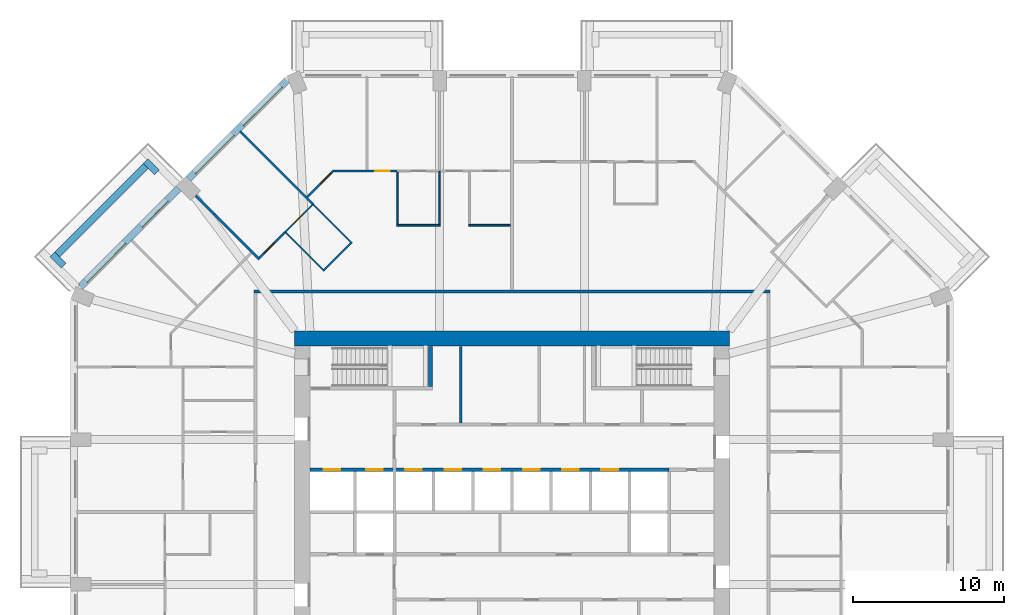
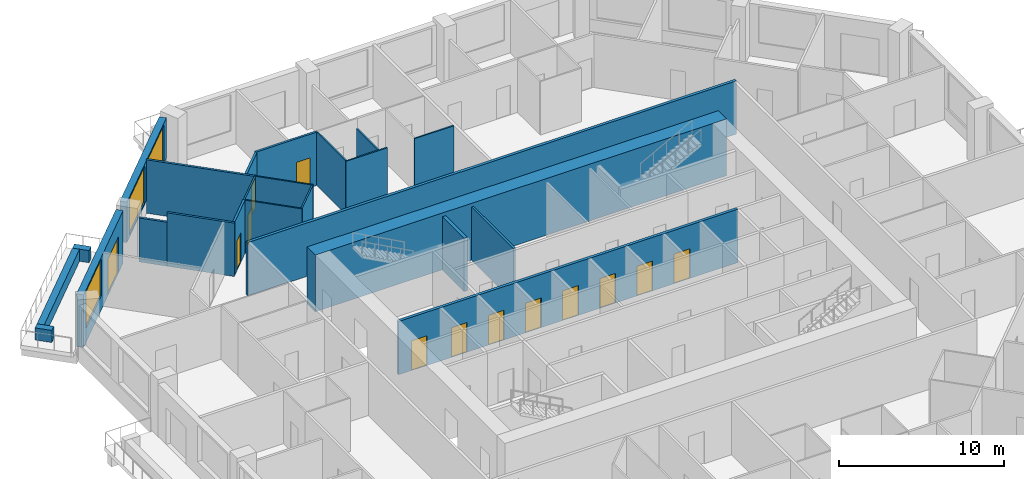
# One storey, part 8 of 13: 24 walls, 13 doors, 3 windows, 16 openings.
"""IFC4 building model written with IfcOpenShell, lengths in metres."""

from ifc_helpers import new_model, si_unit, direction, frame, frame_2d, origin, place, context, subcontext, project, spatial, rectangle, extrude, material, layer, layer_set, type_object, element, fill, save


model = new_model("IFC4")

# Units and contexts
model_context = context("Model", 3, precision=1e-05, world=origin(), true_north=direction((0.0, 1.0)))
body_context = subcontext(model_context, "Body", "Model", "MODEL_VIEW")
ifc_project = project(units=[si_unit("LENGTHUNIT", "METRE"), si_unit("AREAUNIT", "SQUARE_METRE"), si_unit("VOLUMEUNIT", "CUBIC_METRE"), si_unit("PLANEANGLEUNIT", "RADIAN"), si_unit("MASSUNIT", "GRAM", prefix="KILO")], contexts=[model_context])

# Site, building, storey
site_placement = place(None, origin())
site = spatial("IfcSite", under=ifc_project, at=site_placement, CompositionType="ELEMENT")
building_placement = place(site_placement, origin())
building = spatial("IfcBuilding", under=site, at=building_placement, Name="Msitu Wima Residences", CompositionType="ELEMENT")
storey_placement = place(building_placement, frame((0.0, 0.0, 42.300048828125)))
storey = spatial("IfcBuildingStorey", under=building, at=storey_placement, Name="L09", CompositionType="ELEMENT", Elevation=42.300048828125)

# Walls
ifc_material_1 = material(Name="Facing brick")
ifc_layer_1 = layer(ifc_material_1, 0.06494140625, Name="Facing brick")
ifc_material_2 = material(Name="Concrete C40/50", Category="concrete")
ifc_layer_2 = layer(ifc_material_2, 0.156005859375, Name="Concrete C40/50")
ifc_material_3 = material(Name="Waterproofing membrane")
ifc_layer_3 = layer(ifc_material_3, 0.00390625, Name="Waterproofing membrane")
ifc_material_4 = material(Name="Planting soil and planting")
ifc_layer_4 = layer(ifc_material_4, 0.22509765625, Name="Planting soil and planting")
ifc_layer_set_1 = layer_set([ifc_layer_1, ifc_layer_2, ifc_layer_3, ifc_layer_4], Name="Concrete C40/50")
wall_type_1 = type_object("IfcWallType", Name="Balcony planter PLANTER PL450", PredefinedType="USERDEFINED", material=ifc_layer_set_1)
wall_1_placement = place(storey_placement, frame((-24.269287109375, 22.92578125, 0.0), z_axis=(0.0, 0.0, 1.0), x_axis=(-0.707106781187, -0.707106781187, 0.0)))
element("IfcWall", 1, at=wall_1_placement, inside=storey, type_object=wall_type_1, Name="Balcony planter NW1 L09", ObjectType="PLANTER", PredefinedType="USERDEFINED", context=body_context, shape_type="SweptSolid", body=[
    extrude(rectangle(XDim=8.2822265625, YDim=0.449951171875, at=frame_2d((4.14111328125, 0.0))), origin(), (0.0, 0.0, 1.0), 0.89990234375),
])
for number, where, z_axis, x_axis, name in (
    (2, (-23.52685546875, 22.50146484375, 0.0), (0.0, 0.0, 1.0), (-0.706990528533, 0.707223014731, 0.0), "Balcony planter NW1 L09"),
    (3, (-29.70166015625, 16.326904296875, 0.0), (0.0, 0.0, 1.0), (-0.707106781187, 0.707106781187, 0.0), "Balcony planter NW1 L09"),
):
    element("IfcWall", number, at=place(storey_placement, frame(where, z_axis=z_axis, x_axis=x_axis)), inside=storey, type_object=wall_type_1, Name=name, ObjectType="PLANTER", PredefinedType="USERDEFINED", context=body_context, shape_type="SweptSolid", body=[
        extrude(rectangle(XDim=1.050048828125, YDim=0.449951171875, at=frame_2d((0.52490234375, 0.0))), origin(), (0.0, 0.0, 1.0), 0.89990234375),
    ])

# Wall, openings, windows
ifc_material_5 = material(Name="Brick (red buff mix)", Category="masonry")
ifc_layer_5 = layer(ifc_material_5, 0.449951171875)
ifc_layer_set_2 = layer_set([ifc_layer_5], Name="Brick (red buff mix)")
wall_type_2 = type_object("IfcWallType", Name="Brick infill wall BW450", PredefinedType="SOLIDWALL", material=ifc_layer_set_2)
wall_2_placement = place(storey_placement, frame((-14.903564453125, 28.61474609375, 0.89990234375), z_axis=(0.0, 0.0, 1.0), x_axis=(-0.707106781187, -0.707106781187, 0.0)))
wall_2 = element("IfcWall", 4, at=wall_2_placement, inside=storey, type_object=wall_type_2, Name="Brick infill wall L09 NW0", PredefinedType="SOLIDWALL", context=body_context, shape_type="SweptSolid", body=[
    extrude(rectangle(XDim=9.2451171875, YDim=0.449951171875, at=frame_2d((4.62255859375, 0.0))), origin(), (0.0, 0.0, 1.0), 3.0),
])
opening_1_placement = place(wall_2_placement, frame((0.572509765625, 0.0, 0.14990234375)))
opening_1 = element("IfcOpeningElement", 5, at=opening_1_placement, cuts=wall_2, Name="Opening W08-10.013", PredefinedType="OPENING", context=body_context, shape_type="SweptSolid", body=[
    extrude(rectangle(XDim=3.60009765625, YDim=2.699951171875, at=frame_2d((1.800048828125, 1.35009765625))), frame((0.0, 0.23486328125, 0.0), z_axis=(0.0, -1.0, 0.0), x_axis=(1.0, 0.0, 0.0)), (0.0, 0.0, 1.0), 0.469970703125),
])
opening_2_placement = place(wall_2_placement, frame((5.072509765625, 0.0, 0.14990234375)))
opening_2 = element("IfcOpeningElement", 6, at=opening_2_placement, cuts=wall_2, Name="Opening W08-10.014", PredefinedType="OPENING", context=body_context, shape_type="SweptSolid", body=[
    extrude(rectangle(XDim=3.60009765625, YDim=2.699951171875, at=frame_2d((1.800048828125, 1.35009765625))), frame((0.0, 0.23486328125, 0.0), z_axis=(0.0, -1.0, 0.0), x_axis=(1.0, 0.0, 0.0)), (0.0, 0.0, 1.0), 0.469970703125),
])
ifc_material_6 = material(Name="Anodised aluminium, bronze finish, clear low-emissivity double glazing", Category="aluminium")
window_type = type_object("IfcWindowType", Name="Window W3600x2700", PartitioningType="DOUBLE_PANEL_VERTICAL", PredefinedType="WINDOW", material=ifc_material_6)
window_1_placement = place(opening_1_placement, origin())
window_1 = element("IfcWindow", 7, at=window_1_placement, inside=storey, type_object=window_type, Name="Window L09 NW0.1", OverallHeight=2.699951171875, OverallWidth=3.60009765625, PartitioningType="SINGLE_PANEL", PredefinedType="WINDOW", context=body_context, shape_type="SweptSolid", body=[
    extrude(rectangle(XDim=3.60009765625, YDim=2.699951171875, at=frame_2d((1.800048828125, 1.35009765625))), frame((0.0, 0.135009765625, 0.0), z_axis=(0.0, -1.0, 0.0), x_axis=(1.0, 0.0, 0.0)), (0.0, 0.0, 1.0), 0.06005859375),
])
fill(opening_1, window_1)
window_2_placement = place(opening_2_placement, origin())
window_2 = element("IfcWindow", 8, at=window_2_placement, inside=storey, type_object=window_type, Name="Window L09 NW0.2", OverallHeight=2.699951171875, OverallWidth=3.60009765625, PartitioningType="SINGLE_PANEL", PredefinedType="WINDOW", context=body_context, shape_type="SweptSolid", body=[
    extrude(rectangle(XDim=3.60009765625, YDim=2.699951171875, at=frame_2d((1.800048828125, 1.35009765625))), frame((0.0, 0.135009765625, 0.0), z_axis=(0.0, -1.0, 0.0), x_axis=(1.0, 0.0, 0.0)), (0.0, 0.0, 1.0), 0.06005859375),
])
fill(opening_2, window_2)

# Wall, openings, door, window
wall_3_placement = place(storey_placement, frame((-22.077392578125, 21.44091796875, 0.0), z_axis=(0.0, 0.0, 1.0), x_axis=(-0.707106781187, -0.707106781187, 0.0)))
wall_3 = element("IfcWall", 9, at=wall_3_placement, inside=storey, type_object=wall_type_2, Name="Brick infill wall L09 NW1", PredefinedType="SOLIDWALL", context=body_context, shape_type="SweptSolid", body=[
    extrude(rectangle(XDim=9.2451171875, YDim=0.449951171875, at=frame_2d((4.62255859375, 0.0))), origin(), (0.0, 0.0, 1.0), 3.89990234375),
])
opening_3_placement = place(wall_3_placement, frame((1.111328125, 0.0, 0.0)))
opening_3 = element("IfcOpeningElement", 10, at=opening_3_placement, cuts=wall_3, Name="Opening D08-10.005", PredefinedType="OPENING", context=body_context, shape_type="SweptSolid", body=[
    extrude(rectangle(XDim=2.39990234375, YDim=2.699951171875, at=frame_2d((1.199951171875, 1.35009765625))), frame((0.0, 0.23486328125, 0.0), z_axis=(0.0, -1.0, 0.0), x_axis=(1.0, 0.0, 0.0)), (0.0, 0.0, 1.0), 0.469970703125),
])
opening_4_placement = place(wall_3_placement, frame((5.072509765625, 0.0, 1.050048828125)))
opening_4 = element("IfcOpeningElement", 11, at=opening_4_placement, cuts=wall_3, Name="Opening W08-10.015", PredefinedType="OPENING", context=body_context, shape_type="SweptSolid", body=[
    extrude(rectangle(XDim=3.60009765625, YDim=2.699951171875, at=frame_2d((1.800048828125, 1.35009765625))), frame((0.0, 0.23486328125, 0.0), z_axis=(0.0, -1.0, 0.0), x_axis=(1.0, 0.0, 0.0)), (0.0, 0.0, 1.0), 0.469970703125),
])
door_type_1 = type_object("IfcDoorType", Name="Balcony door D2400x2700", OperationType="SLIDING_TO_LEFT", PredefinedType="DOOR", material=ifc_material_6)
door_1_placement = place(opening_3_placement, origin())
door_1 = element("IfcDoor", 12, at=door_1_placement, inside=storey, type_object=door_type_1, Name="Balcony door L09 NW1", OperationType="SINGLE_SWING_LEFT", OverallHeight=2.699951171875, OverallWidth=2.39990234375, PredefinedType="DOOR", context=body_context, shape_type="SweptSolid", body=[
    extrude(rectangle(XDim=2.39990234375, YDim=2.699951171875, at=frame_2d((1.199951171875, 1.35009765625))), frame((0.0, 0.1298828125, 0.0), z_axis=(0.0, -1.0, 0.0), x_axis=(1.0, 0.0, 0.0)), (0.0, 0.0, 1.0), 0.050048828125),
])
fill(opening_3, door_1)
window_3_placement = place(opening_4_placement, origin())
window_3 = element("IfcWindow", 13, at=window_3_placement, inside=storey, type_object=window_type, Name="Window L09 NW1.2", OverallHeight=2.699951171875, OverallWidth=3.60009765625, PartitioningType="SINGLE_PANEL", PredefinedType="WINDOW", context=body_context, shape_type="SweptSolid", body=[
    extrude(rectangle(XDim=3.60009765625, YDim=2.699951171875, at=frame_2d((1.800048828125, 1.35009765625))), frame((0.0, 0.135009765625, 0.0), z_axis=(0.0, -1.0, 0.0), x_axis=(1.0, 0.0, 0.0)), (0.0, 0.0, 1.0), 0.06005859375),
])
fill(opening_4, window_3)

# Walls
ifc_material_7 = material(Name="Concrete C80/95", Category="concrete")
ifc_layer_6 = layer(ifc_material_7, 1.0)
ifc_layer_set_3 = layer_set([ifc_layer_6], Name="Concrete C80/95")
wall_type_3 = type_object("IfcWallType", Name="Core wall CW1000 C80/95", PredefinedType="SHEAR", material=ifc_layer_set_3)
wall_4_placement = place(storey_placement, frame((-14.39990234375, 11.5, 0.0), z_axis=(0.0, 0.0, 1.0), x_axis=(1.0, 0.0, 0.0)))
element("IfcWall", 14, at=wall_4_placement, inside=storey, type_object=wall_type_3, Name="Core wall", PredefinedType="SHEAR", context=body_context, shape_type="SweptSolid", body=[
    extrude(rectangle(XDim=28.7998046875, YDim=1.0, at=frame_2d((14.39990234375, 0.0))), origin(), (0.0, 0.0, 1.0), 4.199951171875),
])
ifc_material_8 = material(Name="Plaster")
ifc_layer_7 = layer(ifc_material_8, 0.011962890625, Name="Plaster")
ifc_material_9 = material(Name="Concrete blockwork", Category="masonry")
ifc_layer_8 = layer(ifc_material_9, 0.176025390625, Name="Concrete blockwork")
ifc_layer_9 = layer(ifc_material_8, 0.011962890625, Name="Plaster")
ifc_layer_set_4 = layer_set([ifc_layer_7, ifc_layer_8, ifc_layer_9], Name="Concrete blockwork")
wall_type_4 = type_object("IfcWallType", Name="Corridor wall FW200", PredefinedType="PARTITIONING", material=ifc_layer_set_4)
wall_5_placement = place(storey_placement, frame((-17.10009765625, 14.60009765625, 0.0), z_axis=(0.0, 0.0, 1.0), x_axis=(1.0, 0.0, 0.0)))
element("IfcWall", 15, at=wall_5_placement, inside=storey, type_object=wall_type_4, Name="Corridor wall", PredefinedType="PARTITIONING", context=body_context, shape_type="SweptSolid", body=[
    extrude(rectangle(XDim=34.2001953125, YDim=0.199951171875, at=frame_2d((17.10009765625, 0.0))), origin(), (0.0, 0.0, 1.0), 3.949951171875),
])
ifc_layer_10 = layer(ifc_material_8, 0.011962890625, Name="Plaster")
ifc_layer_11 = layer(ifc_material_9, 0.1259765625, Name="Concrete blockwork")
ifc_layer_12 = layer(ifc_material_8, 0.011962890625, Name="Plaster")
ifc_layer_set_5 = layer_set([ifc_layer_10, ifc_layer_11, ifc_layer_12], Name="Concrete blockwork")
wall_type_5 = type_object("IfcWallType", Name="Partition PW150", PredefinedType="PARTITIONING", material=ifc_layer_set_5)
wall_6_placement = place(storey_placement, frame((-20.963623046875, 20.963623046875, 0.0), z_axis=(0.0, 0.0, 1.0), x_axis=(0.707106781187, -0.707106781187, 0.0)))
element("IfcWall", 16, at=wall_6_placement, inside=storey, type_object=wall_type_5, Name="Partition", PredefinedType="PARTITIONING", context=body_context, shape_type="SweptSolid", body=[
    extrude(rectangle(XDim=1.74853515625, YDim=0.14990234375, at=frame_2d((0.874267578125, 0.0))), origin(), (0.0, 0.0, 1.0), 3.25),
])
wall_7_placement = place(storey_placement, frame((-19.727294921875, 19.727294921875, 0.0), z_axis=(0.0, 0.0, 1.0), x_axis=(0.707106781187, -0.707106781187, 0.0)))
element("IfcWall", 17, at=wall_7_placement, inside=storey, type_object=wall_type_5, Name="Partition", PredefinedType="PARTITIONING", context=body_context, shape_type="SweptSolid", body=[
    extrude(rectangle(XDim=4.226806640625, YDim=0.14990234375, at=frame_2d((2.11328125, 0.0))), origin(), (0.0, 0.0, 1.0), 3.949951171875),
])
wall_8_placement = place(storey_placement, frame((-18.017578125, 25.2177734375, 0.0), z_axis=(0.0, 0.0, 1.0), x_axis=(0.707088947697, -0.707124614226, 0.0)))
element("IfcWall", 18, at=wall_8_placement, inside=storey, type_object=wall_type_5, Name="Partition", PredefinedType="PARTITIONING", context=body_context, shape_type="SweptSolid", body=[
    extrude(rectangle(XDim=6.844970703125, YDim=0.14990234375, at=frame_2d((3.42236328125, 0.0))), origin(), (0.0, 0.0, 1.0), 3.949951171875),
])

# Wall, opening, door
wall_9_placement = place(storey_placement, frame((-16.738525390625, 16.8447265625, 0.0), z_axis=(0.0, 0.0, 1.0), x_axis=(0.707106781187, 0.707106781187, 0.0)))
wall_9 = element("IfcWall", 19, at=wall_9_placement, inside=storey, type_object=wall_type_5, Name="Partition", PredefinedType="PARTITIONING", context=body_context, shape_type="SweptSolid", body=[
    extrude(rectangle(XDim=2.396240234375, YDim=0.14990234375, at=frame_2d((1.1982421875, 0.0))), origin(), (0.0, 0.0, 1.0), 3.949951171875),
])
opening_5_placement = place(wall_9_placement, frame((0.449951171875, 0.0, 0.0)))
opening_5 = element("IfcOpeningElement", 20, at=opening_5_placement, cuts=wall_9, Name="Opening D08-10.054", PredefinedType="OPENING", context=body_context, shape_type="SweptSolid", body=[
    extrude(rectangle(XDim=0.949951171875, YDim=2.199951171875, at=frame_2d((0.47509765625, 1.10009765625))), frame((0.0, 0.0849609375, 0.0), z_axis=(0.0, -1.0, 0.0), x_axis=(1.0, 0.0, 0.0)), (0.0, 0.0, 1.0), 0.169921875),
])
ifc_material_10 = material(Name="Timber flush door", Category="wood")
door_type_2 = type_object("IfcDoorType", Name="Room door D12 950x2200", OperationType="SINGLE_SWING_LEFT", PredefinedType="DOOR", material=ifc_material_10)
door_2_placement = place(opening_5_placement, origin())
door_2 = element("IfcDoor", 21, at=door_2_placement, inside=storey, type_object=door_type_2, Name="Room door", OperationType="SINGLE_SWING_LEFT", OverallHeight=2.199951171875, OverallWidth=0.949951171875, PredefinedType="DOOR", context=body_context, shape_type="SweptSolid", body=[
    extrude(rectangle(XDim=0.949951171875, YDim=2.199951171875, at=frame_2d((0.47509765625, 1.10009765625))), frame((0.0, 0.02490234375, 0.0), z_axis=(0.0, -1.0, 0.0), x_axis=(1.0, 0.0, 0.0)), (0.0, 0.0, 1.0), 0.050048828125),
])
fill(opening_5, door_2)

wall_10_placement = place(storey_placement, frame((-13.56298828125, 20.868896484375, 0.0), z_axis=(0.0, 0.0, 1.0), x_axis=(0.707106781187, 0.707106781187, 0.0)))
wall_10 = element("IfcWall", 22, at=wall_10_placement, inside=storey, type_object=wall_type_5, Name="Partition", PredefinedType="PARTITIONING", context=body_context, shape_type="SweptSolid", body=[
    extrude(rectangle(XDim=2.373046875, YDim=0.14990234375, at=frame_2d((1.1865234375, 0.0))), origin(), (0.0, 0.0, 1.0), 3.949951171875),
])
opening_6_placement = place(wall_10_placement, frame((1.25, 0.0, 0.0)))
opening_6 = element("IfcOpeningElement", 23, at=opening_6_placement, cuts=wall_10, Name="Opening D08-10.057", PredefinedType="OPENING", context=body_context, shape_type="SweptSolid", body=[
    extrude(rectangle(XDim=0.949951171875, YDim=2.199951171875, at=frame_2d((0.47509765625, 1.10009765625))), frame((0.0, 0.0849609375, 0.0), z_axis=(0.0, -1.0, 0.0), x_axis=(1.0, 0.0, 0.0)), (0.0, 0.0, 1.0), 0.169921875),
])
door_3_placement = place(opening_6_placement, origin())
door_3 = element("IfcDoor", 24, at=door_3_placement, inside=storey, type_object=door_type_2, Name="Room door", OperationType="SINGLE_SWING_LEFT", OverallHeight=2.199951171875, OverallWidth=0.949951171875, PredefinedType="DOOR", context=body_context, shape_type="SweptSolid", body=[
    extrude(rectangle(XDim=0.949951171875, YDim=2.199951171875, at=frame_2d((0.47509765625, 1.10009765625))), frame((0.0, 0.02490234375, 0.0), z_axis=(0.0, -1.0, 0.0), x_axis=(1.0, 0.0, 0.0)), (0.0, 0.0, 1.0), 0.050048828125),
])
fill(opening_6, door_3)

wall_11_placement = place(storey_placement, frame((-11.906982421875, 22.60009765625, 0.0), z_axis=(0.0, 0.0, 1.0), x_axis=(1.0, 0.0, 0.0)))
wall_11 = element("IfcWall", 25, at=wall_11_placement, inside=storey, type_object=wall_type_5, Name="Partition", PredefinedType="PARTITIONING", context=body_context, shape_type="SweptSolid", body=[
    extrude(rectangle(XDim=4.306884765625, YDim=0.14990234375, at=frame_2d((2.1533203125, 0.0))), origin(), (0.0, 0.0, 1.0), 3.949951171875),
])
opening_7_placement = place(wall_11_placement, frame((2.85009765625, 0.0, 0.0)))
opening_7 = element("IfcOpeningElement", 26, at=opening_7_placement, cuts=wall_11, Name="Opening D08-10.049", PredefinedType="OPENING", context=body_context, shape_type="SweptSolid", body=[
    extrude(rectangle(XDim=0.949951171875, YDim=2.199951171875, at=frame_2d((0.47509765625, 1.10009765625))), frame((0.0, 0.0849609375, 0.0), z_axis=(0.0, -1.0, 0.0), x_axis=(1.0, 0.0, 0.0)), (0.0, 0.0, 1.0), 0.169921875),
])
door_4_placement = place(opening_7_placement, origin())
door_4 = element("IfcDoor", 27, at=door_4_placement, inside=storey, type_object=door_type_2, Name="Room door", OperationType="SINGLE_SWING_LEFT", OverallHeight=2.199951171875, OverallWidth=0.949951171875, PredefinedType="DOOR", context=body_context, shape_type="SweptSolid", body=[
    extrude(rectangle(XDim=0.949951171875, YDim=2.199951171875, at=frame_2d((0.47509765625, 1.10009765625))), frame((0.0, 0.02490234375, 0.0), z_axis=(0.0, -1.0, 0.0), x_axis=(1.0, 0.0, 0.0)), (0.0, 0.0, 1.0), 0.050048828125),
])
fill(opening_7, door_4)

# Wall
wall_12_placement = place(storey_placement, frame((-3.39990234375, 5.89990234375, 0.0), z_axis=(0.0, 0.0, 1.0), x_axis=(0.0, 1.0, 0.0)))
element("IfcWall", 28, at=wall_12_placement, inside=storey, type_object=wall_type_5, Name="Partition", PredefinedType="PARTITIONING", context=body_context, shape_type="SweptSolid", body=[
    extrude(rectangle(XDim=5.070068359375, YDim=0.14990234375, at=frame_2d((2.53515625, 0.0))), origin(), (0.0, 0.0, 1.0), 3.949951171875),
])

# Wall, openings, doors
ifc_material_11 = material(Name="Fire-rated board")
ifc_layer_13 = layer(ifc_material_11, 0.02490234375, Name="Fire-rated board")
ifc_material_12 = material(Name="Light-gauge stud framing with mineral wool")
ifc_layer_14 = layer(ifc_material_12, 0.14990234375, Name="Light-gauge stud framing with mineral wool")
ifc_layer_15 = layer(ifc_material_11, 0.02490234375, Name="Fire-rated board")
ifc_layer_set_6 = layer_set([ifc_layer_13, ifc_layer_14, ifc_layer_15], Name="Light-gauge stud framing with mineral wool")
wall_type_6 = type_object("IfcWallType", Name="Shaft wall SH200", PredefinedType="PARTITIONING", material=ifc_layer_set_6)
wall_13_placement = place(storey_placement, frame((-13.3701171875, 2.800048828125, 0.0), z_axis=(0.0, 0.0, 1.0), x_axis=(1.0, 0.0, 0.0)))
wall_13 = element("IfcWall", 29, at=wall_13_placement, inside=storey, type_object=wall_type_6, Name="Shaft wall", PredefinedType="PARTITIONING", context=body_context, shape_type="SweptSolid", body=[
    extrude(rectangle(XDim=23.77001953125, YDim=0.199951171875, at=frame_2d((11.885009765625, 0.0))), origin(), (0.0, 0.0, 1.0), 3.949951171875),
])
opening_8_placement = place(wall_13_placement, frame((0.89990234375, 0.0, 0.0)))
opening_8 = element("IfcOpeningElement", 30, at=opening_8_placement, cuts=wall_13, Name="Opening LD", PredefinedType="OPENING", context=body_context, shape_type="SweptSolid", body=[
    extrude(rectangle(XDim=1.10009765625, YDim=2.199951171875, at=frame_2d((0.550048828125, 1.10009765625))), frame((0.0, 0.10986328125, 0.0), z_axis=(0.0, -1.0, 0.0), x_axis=(1.0, 0.0, 0.0)), (0.0, 0.0, 1.0), 0.219970703125),
])
opening_9_placement = place(wall_13_placement, frame((3.699951171875, 0.0, 0.0)))
opening_9 = element("IfcOpeningElement", 31, at=opening_9_placement, cuts=wall_13, Name="Opening LD", PredefinedType="OPENING", context=body_context, shape_type="SweptSolid", body=[
    extrude(rectangle(XDim=1.10009765625, YDim=2.199951171875, at=frame_2d((0.550048828125, 1.10009765625))), frame((0.0, 0.10986328125, 0.0), z_axis=(0.0, -1.0, 0.0), x_axis=(1.0, 0.0, 0.0)), (0.0, 0.0, 1.0), 0.219970703125),
])
opening_10_placement = place(wall_13_placement, frame((6.300048828125, 0.0, 0.0)))
opening_10 = element("IfcOpeningElement", 32, at=opening_10_placement, cuts=wall_13, Name="Opening LD", PredefinedType="OPENING", context=body_context, shape_type="SweptSolid", body=[
    extrude(rectangle(XDim=1.10009765625, YDim=2.199951171875, at=frame_2d((0.550048828125, 1.10009765625))), frame((0.0, 0.10986328125, 0.0), z_axis=(0.0, -1.0, 0.0), x_axis=(1.0, 0.0, 0.0)), (0.0, 0.0, 1.0), 0.219970703125),
])
opening_11_placement = place(wall_13_placement, frame((8.89990234375, 0.0, 0.0)))
opening_11 = element("IfcOpeningElement", 33, at=opening_11_placement, cuts=wall_13, Name="Opening LD", PredefinedType="OPENING", context=body_context, shape_type="SweptSolid", body=[
    extrude(rectangle(XDim=1.10009765625, YDim=2.199951171875, at=frame_2d((0.550048828125, 1.10009765625))), frame((0.0, 0.10986328125, 0.0), z_axis=(0.0, -1.0, 0.0), x_axis=(1.0, 0.0, 0.0)), (0.0, 0.0, 1.0), 0.219970703125),
])
opening_12_placement = place(wall_13_placement, frame((11.5, 0.0, 0.0)))
opening_12 = element("IfcOpeningElement", 34, at=opening_12_placement, cuts=wall_13, Name="Opening LD", PredefinedType="OPENING", context=body_context, shape_type="SweptSolid", body=[
    extrude(rectangle(XDim=1.10009765625, YDim=2.199951171875, at=frame_2d((0.550048828125, 1.10009765625))), frame((0.0, 0.10986328125, 0.0), z_axis=(0.0, -1.0, 0.0), x_axis=(1.0, 0.0, 0.0)), (0.0, 0.0, 1.0), 0.219970703125),
])
opening_13_placement = place(wall_13_placement, frame((14.10009765625, 0.0, 0.0)))
opening_13 = element("IfcOpeningElement", 35, at=opening_13_placement, cuts=wall_13, Name="Opening LD", PredefinedType="OPENING", context=body_context, shape_type="SweptSolid", body=[
    extrude(rectangle(XDim=1.10009765625, YDim=2.199951171875, at=frame_2d((0.550048828125, 1.10009765625))), frame((0.0, 0.10986328125, 0.0), z_axis=(0.0, -1.0, 0.0), x_axis=(1.0, 0.0, 0.0)), (0.0, 0.0, 1.0), 0.219970703125),
])
opening_14_placement = place(wall_13_placement, frame((16.699951171875, 0.0, 0.0)))
opening_14 = element("IfcOpeningElement", 36, at=opening_14_placement, cuts=wall_13, Name="Opening LD", PredefinedType="OPENING", context=body_context, shape_type="SweptSolid", body=[
    extrude(rectangle(XDim=1.10009765625, YDim=2.199951171875, at=frame_2d((0.550048828125, 1.10009765625))), frame((0.0, 0.10986328125, 0.0), z_axis=(0.0, -1.0, 0.0), x_axis=(1.0, 0.0, 0.0)), (0.0, 0.0, 1.0), 0.219970703125),
])
opening_15_placement = place(wall_13_placement, frame((19.300048828125, 0.0, 0.0)))
opening_15 = element("IfcOpeningElement", 37, at=opening_15_placement, cuts=wall_13, Name="Opening LD", PredefinedType="OPENING", context=body_context, shape_type="SweptSolid", body=[
    extrude(rectangle(XDim=1.10009765625, YDim=2.199951171875, at=frame_2d((0.550048828125, 1.10009765625))), frame((0.0, 0.10986328125, 0.0), z_axis=(0.0, -1.0, 0.0), x_axis=(1.0, 0.0, 0.0)), (0.0, 0.0, 1.0), 0.219970703125),
])
ifc_material_13 = material(Name="Stainless steel centre-opening landing door, rated", Category="steel")
door_type_3 = type_object("IfcDoorType", Name="Lift landing door LD 1100x2200", OperationType="DOUBLE_DOOR_SLIDING", PredefinedType="DOOR", material=ifc_material_13)
door_5_placement = place(opening_8_placement, origin())
door_5 = element("IfcDoor", 38, at=door_5_placement, inside=storey, type_object=door_type_3, Name="Lift landing door LD1", OperationType="DOUBLE_DOOR_SLIDING", OverallHeight=2.199951171875, OverallWidth=1.10009765625, PredefinedType="DOOR", context=body_context, shape_type="SweptSolid", body=[
    extrude(rectangle(XDim=1.10009765625, YDim=2.199951171875, at=frame_2d((0.550048828125, 1.10009765625))), frame((0.0, 0.02490234375, 0.0), z_axis=(0.0, -1.0, 0.0), x_axis=(1.0, 0.0, 0.0)), (0.0, 0.0, 1.0), 0.050048828125),
])
fill(opening_8, door_5)
door_6_placement = place(opening_9_placement, origin())
door_6 = element("IfcDoor", 39, at=door_6_placement, inside=storey, type_object=door_type_3, Name="Lift landing door LD2", OperationType="DOUBLE_DOOR_SLIDING", OverallHeight=2.199951171875, OverallWidth=1.10009765625, PredefinedType="DOOR", context=body_context, shape_type="SweptSolid", body=[
    extrude(rectangle(XDim=1.10009765625, YDim=2.199951171875, at=frame_2d((0.550048828125, 1.10009765625))), frame((0.0, 0.02490234375, 0.0), z_axis=(0.0, -1.0, 0.0), x_axis=(1.0, 0.0, 0.0)), (0.0, 0.0, 1.0), 0.050048828125),
])
fill(opening_9, door_6)
door_7_placement = place(opening_10_placement, origin())
door_7 = element("IfcDoor", 40, at=door_7_placement, inside=storey, type_object=door_type_3, Name="Lift landing door LD4", OperationType="DOUBLE_DOOR_SLIDING", OverallHeight=2.199951171875, OverallWidth=1.10009765625, PredefinedType="DOOR", context=body_context, shape_type="SweptSolid", body=[
    extrude(rectangle(XDim=1.10009765625, YDim=2.199951171875, at=frame_2d((0.550048828125, 1.10009765625))), frame((0.0, 0.02490234375, 0.0), z_axis=(0.0, -1.0, 0.0), x_axis=(1.0, 0.0, 0.0)), (0.0, 0.0, 1.0), 0.050048828125),
])
fill(opening_10, door_7)
door_8_placement = place(opening_11_placement, origin())
door_8 = element("IfcDoor", 41, at=door_8_placement, inside=storey, type_object=door_type_3, Name="Lift landing door LD6", OperationType="DOUBLE_DOOR_SLIDING", OverallHeight=2.199951171875, OverallWidth=1.10009765625, PredefinedType="DOOR", context=body_context, shape_type="SweptSolid", body=[
    extrude(rectangle(XDim=1.10009765625, YDim=2.199951171875, at=frame_2d((0.550048828125, 1.10009765625))), frame((0.0, 0.02490234375, 0.0), z_axis=(0.0, -1.0, 0.0), x_axis=(1.0, 0.0, 0.0)), (0.0, 0.0, 1.0), 0.050048828125),
])
fill(opening_11, door_8)
door_9_placement = place(opening_12_placement, origin())
door_9 = element("IfcDoor", 42, at=door_9_placement, inside=storey, type_object=door_type_3, Name="Lift landing door LD8", OperationType="DOUBLE_DOOR_SLIDING", OverallHeight=2.199951171875, OverallWidth=1.10009765625, PredefinedType="DOOR", context=body_context, shape_type="SweptSolid", body=[
    extrude(rectangle(XDim=1.10009765625, YDim=2.199951171875, at=frame_2d((0.550048828125, 1.10009765625))), frame((0.0, 0.02490234375, 0.0), z_axis=(0.0, -1.0, 0.0), x_axis=(1.0, 0.0, 0.0)), (0.0, 0.0, 1.0), 0.050048828125),
])
fill(opening_12, door_9)
door_10_placement = place(opening_13_placement, origin())
door_10 = element("IfcDoor", 43, at=door_10_placement, inside=storey, type_object=door_type_3, Name="Lift landing door LD10", OperationType="DOUBLE_DOOR_SLIDING", OverallHeight=2.199951171875, OverallWidth=1.10009765625, PredefinedType="DOOR", context=body_context, shape_type="SweptSolid", body=[
    extrude(rectangle(XDim=1.10009765625, YDim=2.199951171875, at=frame_2d((0.550048828125, 1.10009765625))), frame((0.0, 0.02490234375, 0.0), z_axis=(0.0, -1.0, 0.0), x_axis=(1.0, 0.0, 0.0)), (0.0, 0.0, 1.0), 0.050048828125),
])
fill(opening_13, door_10)
door_11_placement = place(opening_14_placement, origin())
door_11 = element("IfcDoor", 44, at=door_11_placement, inside=storey, type_object=door_type_3, Name="Lift landing door LD12", OperationType="DOUBLE_DOOR_SLIDING", OverallHeight=2.199951171875, OverallWidth=1.10009765625, PredefinedType="DOOR", context=body_context, shape_type="SweptSolid", body=[
    extrude(rectangle(XDim=1.10009765625, YDim=2.199951171875, at=frame_2d((0.550048828125, 1.10009765625))), frame((0.0, 0.02490234375, 0.0), z_axis=(0.0, -1.0, 0.0), x_axis=(1.0, 0.0, 0.0)), (0.0, 0.0, 1.0), 0.050048828125),
])
fill(opening_14, door_11)
door_12_placement = place(opening_15_placement, origin())
door_12 = element("IfcDoor", 45, at=door_12_placement, inside=storey, type_object=door_type_3, Name="Lift landing door LD14", OperationType="DOUBLE_DOOR_SLIDING", OverallHeight=2.199951171875, OverallWidth=1.10009765625, PredefinedType="DOOR", context=body_context, shape_type="SweptSolid", body=[
    extrude(rectangle(XDim=1.10009765625, YDim=2.199951171875, at=frame_2d((0.550048828125, 1.10009765625))), frame((0.0, 0.02490234375, 0.0), z_axis=(0.0, -1.0, 0.0), x_axis=(1.0, 0.0, 0.0)), (0.0, 0.0, 1.0), 0.050048828125),
])
fill(opening_15, door_12)

# Wall
ifc_material_14 = material(Name="Concrete C50/60", Category="concrete")
ifc_layer_16 = layer(ifc_material_14, 0.25)
ifc_layer_set_7 = layer_set([ifc_layer_16], Name="Concrete C50/60")
wall_type_7 = type_object("IfcWallType", Name="Stair enclosure wall SW250", PredefinedType="SHEAR", material=ifc_layer_set_7)
wall_14_placement = place(storey_placement, frame((-5.39990234375, 8.324951171875, 0.0), z_axis=(0.0, 0.0, 1.0), x_axis=(0.0, 1.0, 0.0)))
element("IfcWall", 46, at=wall_14_placement, inside=storey, type_object=wall_type_7, Name="Stair enclosure wall", PredefinedType="SHEAR", context=body_context, shape_type="SweptSolid", body=[
    extrude(rectangle(XDim=2.64501953125, YDim=0.25, at=frame_2d((1.322509765625, 0.0))), origin(), (0.0, 0.0, 1.0), 3.949951171875),
])

# Wall, opening, door
ifc_material_15 = material(Name="Ceramic tiles")
ifc_layer_17 = layer(ifc_material_15, 0.008056640625, Name="Ceramic tiles")
ifc_material_16 = material(Name="Moisture-resistant board")
ifc_layer_18 = layer(ifc_material_16, 0.012451171875, Name="Moisture-resistant board")
ifc_layer_19 = layer(ifc_material_12, 0.06689453125, Name="Light-gauge stud framing with mineral wool")
ifc_layer_20 = layer(ifc_material_16, 0.012451171875, Name="Moisture-resistant board")
ifc_layer_set_8 = layer_set([ifc_layer_17, ifc_layer_18, ifc_layer_19, ifc_layer_20], Name="Light-gauge stud framing with mineral wool")
wall_type_8 = type_object("IfcWallType", Name="Wet wall PW100", PredefinedType="PARTITIONING", material=ifc_layer_set_8)
wall_15_placement = place(storey_placement, frame((-15.044189453125, 18.5390625, 0.0), z_axis=(0.0, 0.0, 1.0), x_axis=(0.707106781187, 0.707106781187, 0.0)))
wall_15 = element("IfcWall", 47, at=wall_15_placement, inside=storey, type_object=wall_type_8, Name="Wet wall", PredefinedType="PARTITIONING", context=body_context, shape_type="SweptSolid", body=[
    extrude(rectangle(XDim=2.56982421875, YDim=0.10009765625, at=frame_2d((1.284912109375, 0.0))), origin(), (0.0, 0.0, 1.0), 3.949951171875),
])
opening_16_placement = place(wall_15_placement, frame((0.85009765625, 0.0, 0.0)))
opening_16 = element("IfcOpeningElement", 48, at=opening_16_placement, cuts=wall_15, Name="Opening D08-10.055", PredefinedType="OPENING", context=body_context, shape_type="SweptSolid", body=[
    extrude(rectangle(XDim=0.89990234375, YDim=2.199951171875, at=frame_2d((0.449951171875, 1.10009765625))), frame((0.0, 0.06005859375, 0.0), z_axis=(0.0, -1.0, 0.0), x_axis=(1.0, 0.0, 0.0)), (0.0, 0.0, 1.0), 0.1201171875),
])
ifc_material_17 = material(Name="Timber flush door, moisture resistant", Category="wood")
door_type_4 = type_object("IfcDoorType", Name="Bathroom door D03 900x2200", OperationType="SINGLE_SWING_LEFT", PredefinedType="DOOR", material=ifc_material_17)
door_13_placement = place(opening_16_placement, origin())
door_13 = element("IfcDoor", 49, at=door_13_placement, inside=storey, type_object=door_type_4, Name="Bathroom door", OperationType="SINGLE_SWING_RIGHT", OverallHeight=2.199951171875, OverallWidth=0.89990234375, PredefinedType="DOOR", context=body_context, shape_type="SweptSolid", body=[
    extrude(rectangle(XDim=0.89990234375, YDim=2.199951171875, at=frame_2d((0.449951171875, 1.10009765625))), frame((0.0, 0.02490234375, 0.0), z_axis=(0.0, -1.0, 0.0), x_axis=(1.0, 0.0, 0.0)), (0.0, 0.0, 1.0), 0.050048828125),
])
fill(opening_16, door_13)

# Walls
wall_16_placement = place(storey_placement, frame((-14.994873046875, 18.517822265625, 0.0), z_axis=(0.0, 0.0, 1.0), x_axis=(0.707106781187, -0.707106781187, 0.0)))
element("IfcWall", 50, at=wall_16_placement, inside=storey, type_object=wall_type_8, Name="Wet wall", PredefinedType="PARTITIONING", context=body_context, shape_type="SweptSolid", body=[
    extrude(rectangle(XDim=3.60009765625, YDim=0.10009765625, at=frame_2d((1.800048828125, 0.0))), origin(), (0.0, 0.0, 1.0), 3.949951171875),
])
wall_17_placement = place(storey_placement, frame((-13.177490234375, 20.37744140625, 0.0), z_axis=(0.0, 0.0, 1.0), x_axis=(0.707106781187, -0.707106781187, 0.0)))
element("IfcWall", 51, at=wall_17_placement, inside=storey, type_object=wall_type_8, Name="Wet wall", PredefinedType="PARTITIONING", context=body_context, shape_type="SweptSolid", body=[
    extrude(rectangle(XDim=3.6298828125, YDim=0.10009765625, at=frame_2d((1.81494140625, 0.0))), origin(), (0.0, 0.0, 1.0), 3.949951171875),
])
wall_18_placement = place(storey_placement, frame((-12.44921875, 16.04296875, 0.0), z_axis=(0.0, 0.0, 1.0), x_axis=(0.707106781187, 0.707106781187, 0.0)))
element("IfcWall", 52, at=wall_18_placement, inside=storey, type_object=wall_type_8, Name="Wet wall", PredefinedType="PARTITIONING", context=body_context, shape_type="SweptSolid", body=[
    extrude(rectangle(XDim=2.5, YDim=0.10009765625, at=frame_2d((1.25, 0.0))), origin(), (0.0, 0.0, 1.0), 3.949951171875),
])
wall_19_placement = place(storey_placement, frame((-7.60009765625, 19.050048828125, 0.0), z_axis=(0.0, 0.0, 1.0), x_axis=(0.0, 1.0, 0.0)))
element("IfcWall", 53, at=wall_19_placement, inside=storey, type_object=wall_type_8, Name="Wet wall", PredefinedType="PARTITIONING", context=body_context, shape_type="SweptSolid", body=[
    extrude(rectangle(XDim=3.474853515625, YDim=0.10009765625, at=frame_2d((1.7373046875, 0.0))), origin(), (0.0, 0.0, 1.0), 3.949951171875),
])
wall_20_placement = place(storey_placement, frame((-7.64990234375, 19.0, 0.0), z_axis=(0.0, 0.0, 1.0), x_axis=(1.0, 0.0, 0.0)))
element("IfcWall", 54, at=wall_20_placement, inside=storey, type_object=wall_type_8, Name="Wet wall", PredefinedType="PARTITIONING", context=body_context, shape_type="SweptSolid", body=[
    extrude(rectangle(XDim=2.89990234375, YDim=0.10009765625, at=frame_2d((1.449951171875, 0.0))), origin(), (0.0, 0.0, 1.0), 3.949951171875),
])
wall_21_placement = place(storey_placement, frame((-4.800048828125, 19.050048828125, 0.0), z_axis=(0.0, 0.0, 1.0), x_axis=(0.0, 1.0, 0.0)))
element("IfcWall", 55, at=wall_21_placement, inside=storey, type_object=wall_type_8, Name="Wet wall", PredefinedType="PARTITIONING", context=body_context, shape_type="SweptSolid", body=[
    extrude(rectangle(XDim=3.530029296875, YDim=0.10009765625, at=frame_2d((1.76513671875, 0.0))), origin(), (0.0, 0.0, 1.0), 3.199951171875),
])
wall_22_placement = place(storey_placement, frame((-2.85009765625, 19.0, 0.0), z_axis=(0.0, 0.0, 1.0), x_axis=(1.0, 0.0, 0.0)))
element("IfcWall", 56, at=wall_22_placement, inside=storey, type_object=wall_type_8, Name="Wet wall", PredefinedType="PARTITIONING", context=body_context, shape_type="SweptSolid", body=[
    extrude(rectangle(XDim=2.75, YDim=0.10009765625, at=frame_2d((1.375, 0.0))), origin(), (0.0, 0.0, 1.0), 3.949951171875),
])

save(model, "model.ifc")
